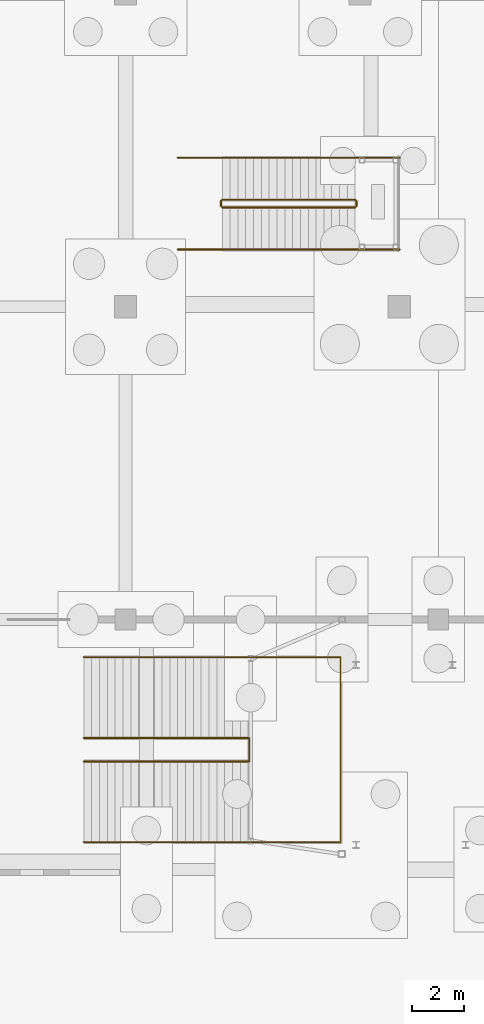
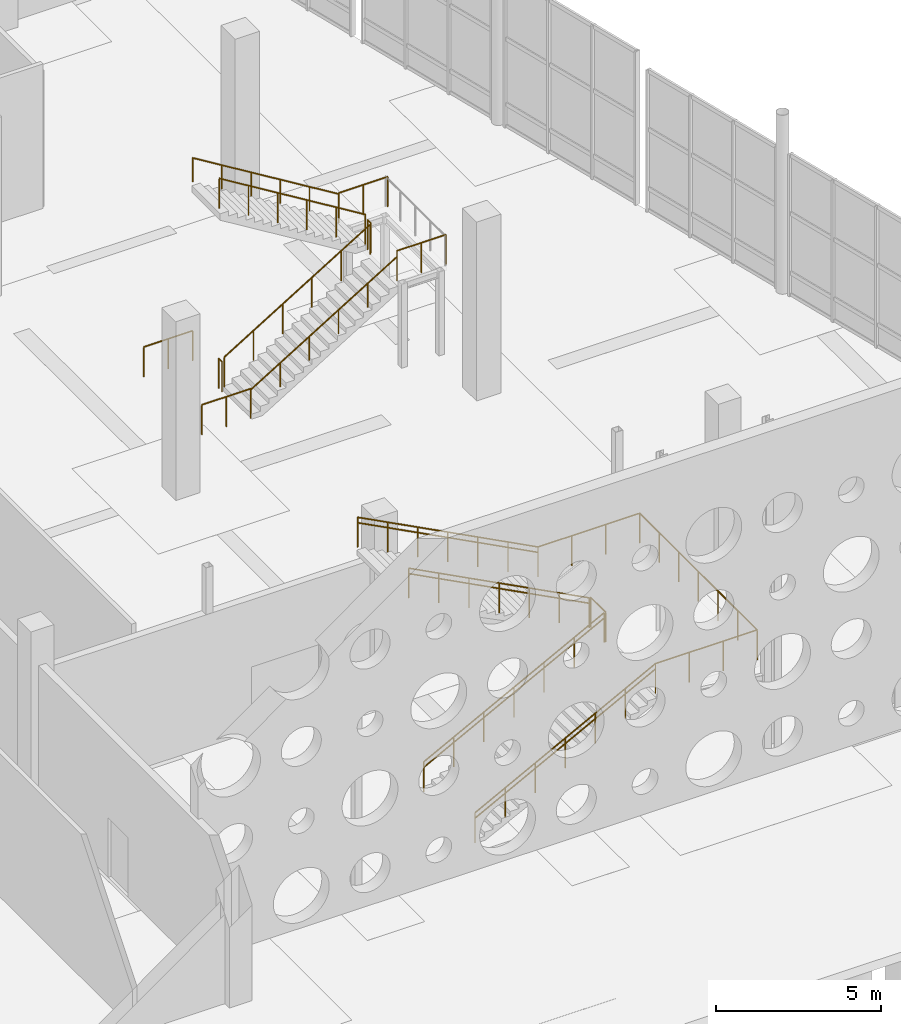
# One storey, part 109 of 117: 20 railings.
"""IFC4 building model written with IfcOpenShell, lengths in metres."""

from ifc_helpers import new_model, si_unit, direction, frame, origin, origin_2d, place, context, subcontext, project, spatial, circle, extrude, material, type_object, element, save


model = new_model("IFC4")

# Units and contexts
model_context = context("Model", 3, precision=1e-05, world=origin(), true_north=direction((0.0, 1.0)))
body_context = subcontext(model_context, "Body", "Model", "MODEL_VIEW")
ifc_project = project(units=[si_unit("LENGTHUNIT", "METRE"), si_unit("AREAUNIT", "SQUARE_METRE"), si_unit("VOLUMEUNIT", "CUBIC_METRE"), si_unit("PLANEANGLEUNIT", "RADIAN"), si_unit("MASSUNIT", "GRAM", prefix="KILO")], contexts=[model_context])

# Site, building, storey
site_placement = place(None, origin())
site = spatial("IfcSite", under=ifc_project, at=site_placement, CompositionType="ELEMENT")
building_placement = place(site_placement, origin())
building = spatial("IfcBuilding", under=site, at=building_placement, Name="Kamomehara Wholesale Market", CompositionType="ELEMENT")
storey_placement = place(building_placement, origin())
storey = spatial("IfcBuildingStorey", under=building, at=storey_placement, Name="L00", CompositionType="ELEMENT", Elevation=0.0)

# Railings
ifc_material_1 = material(Name="Steel SN400B", Category="steel")
railing_type_1 = type_object("IfcRailingType", Name="RAL-EXT-1100", PredefinedType="BALUSTRADE", material=ifc_material_1)
for number, where, name in (
    (1, (178.39990234375, 15.449951171875, 0.0), "ST-19 flight guard 1.1"),
    (2, (178.39990234375, 18.550048828125, 0.0), "ST-19 flight guard 1.2"),
):
    element("IfcRailing", number, at=place(storey_placement, frame(where)), inside=storey, type_object=railing_type_1, Name=name, PredefinedType="BALUSTRADE", context=body_context, shape_type="SweptSolid", body=[
        extrude(circle(Radius=0.02392578125, at=origin_2d()), frame((0.0, 0.0, 1.09619140625), z_axis=(0.885830191482, 0.0, 0.464009560095), x_axis=(0.0, 1.0, 0.0)), (0.0, 0.0, 1.0), 7.112060546875),
        extrude(circle(Radius=0.02099609375, at=origin_2d()), origin(), (0.0, 0.0, 1.0), 1.072021484375),
        extrude(circle(Radius=0.02099609375, at=origin_2d()), frame((1.050048828125, 0.0, 0.550048828125)), (0.0, 0.0, 1.0), 1.072021484375),
        extrude(circle(Radius=0.02099609375, at=origin_2d()), frame((2.10009765625, 0.0, 1.10009765625)), (0.0, 0.0, 1.0), 1.072021484375),
        extrude(circle(Radius=0.02099609375, at=origin_2d()), frame((3.14990234375, 0.0, 1.64990234375)), (0.0, 0.0, 1.0), 1.072021484375),
        extrude(circle(Radius=0.02099609375, at=origin_2d()), frame((4.199951171875, 0.0, 2.199951171875)), (0.0, 0.0, 1.0), 1.072021484375),
        extrude(circle(Radius=0.02099609375, at=origin_2d()), frame((5.25, 0.0, 2.75)), (0.0, 0.0, 1.0), 1.072021484375),
        extrude(circle(Radius=0.02099609375, at=origin_2d()), frame((6.300048828125, 0.0, 3.300048828125)), (0.0, 0.0, 1.0), 1.072021484375),
    ])
for number, where, name in (
    (3, (184.699951171875, 22.550048828125, 3.300048828125), "ST-19 flight guard 2.1"),
    (4, (184.699951171875, 19.449951171875, 3.300048828125), "ST-19 flight guard 2.2"),
):
    element("IfcRailing", number, at=place(storey_placement, frame(where)), inside=storey, type_object=railing_type_1, Name=name, PredefinedType="BALUSTRADE", context=body_context, shape_type="SweptSolid", body=[
        extrude(circle(Radius=0.02392578125, at=origin_2d()), frame((0.0, 0.0, 1.09619140625), z_axis=(-0.885830191482, 0.0, 0.464009560095), x_axis=(0.0, -1.0, 0.0)), (0.0, 0.0, 1.0), 7.112060546875),
        extrude(circle(Radius=0.02099609375, at=origin_2d()), origin(), (0.0, 0.0, 1.0), 1.072021484375),
        extrude(circle(Radius=0.02099609375, at=origin_2d()), frame((-1.050048828125, 0.0, 0.550048828125)), (0.0, 0.0, 1.0), 1.072021484375),
        extrude(circle(Radius=0.02099609375, at=origin_2d()), frame((-2.10009765625, 0.0, 1.10009765625)), (0.0, 0.0, 1.0), 1.072021484375),
        extrude(circle(Radius=0.02099609375, at=origin_2d()), frame((-3.14990234375, 0.0, 1.64990234375)), (0.0, 0.0, 1.0), 1.072021484375),
        extrude(circle(Radius=0.02099609375, at=origin_2d()), frame((-4.199951171875, 0.0, 2.199951171875)), (0.0, 0.0, 1.0), 1.072021484375),
        extrude(circle(Radius=0.02099609375, at=origin_2d()), frame((-5.25, 0.0, 2.75)), (0.0, 0.0, 1.0), 1.072021484375),
        extrude(circle(Radius=0.02099609375, at=origin_2d()), frame((-6.300048828125, 0.0, 3.300048828125)), (0.0, 0.0, 1.0), 1.072021484375),
    ])
railing_1_placement = place(storey_placement, frame((184.699951171875, 15.449951171875, 3.300048828125)))
element("IfcRailing", 5, at=railing_1_placement, inside=storey, type_object=railing_type_1, Name="ST-19 landing guard 1", PredefinedType="BALUSTRADE", context=body_context, shape_type="SweptSolid", body=[
    extrude(circle(Radius=0.02392578125, at=origin_2d()), frame((0.0, 0.0, 1.09619140625), z_axis=(1.0, 0.0, 0.0), x_axis=(0.0, 1.0, 0.0)), (0.0, 0.0, 1.0), 3.550048828125),
    extrude(circle(Radius=0.02392578125, at=origin_2d()), frame((3.550048828125, 0.0, 1.09619140625), z_axis=(0.0, 1.0, 0.0), x_axis=(-1.0, 0.0, 0.0)), (0.0, 0.0, 1.0), 7.10009765625),
    extrude(circle(Radius=0.02392578125, at=origin_2d()), frame((3.550048828125, 7.10009765625, 1.09619140625), z_axis=(-1.0, 0.0, 0.0), x_axis=(0.0, -1.0, 0.0)), (0.0, 0.0, 1.0), 3.550048828125),
    extrude(circle(Radius=0.02099609375, at=origin_2d()), origin(), (0.0, 0.0, 1.0), 1.072021484375),
    extrude(circle(Radius=0.02099609375, at=origin_2d()), frame((1.183349609375, 0.0, 0.0)), (0.0, 0.0, 1.0), 1.072021484375),
    extrude(circle(Radius=0.02099609375, at=origin_2d()), frame((2.36669921875, 0.0, 0.0)), (0.0, 0.0, 1.0), 1.072021484375),
    extrude(circle(Radius=0.02099609375, at=origin_2d()), frame((3.550048828125, 0.0, 0.0)), (0.0, 0.0, 1.0), 1.072021484375),
    extrude(circle(Radius=0.02099609375, at=origin_2d()), frame((3.550048828125, 1.183349609375, 0.0)), (0.0, 0.0, 1.0), 1.072021484375),
    extrude(circle(Radius=0.02099609375, at=origin_2d()), frame((3.550048828125, 2.36669921875, 0.0)), (0.0, 0.0, 1.0), 1.072021484375),
    extrude(circle(Radius=0.02099609375, at=origin_2d()), frame((3.550048828125, 3.550048828125, 0.0)), (0.0, 0.0, 1.0), 1.072021484375),
    extrude(circle(Radius=0.02099609375, at=origin_2d()), frame((3.550048828125, 4.7333984375, 0.0)), (0.0, 0.0, 1.0), 1.072021484375),
    extrude(circle(Radius=0.02099609375, at=origin_2d()), frame((3.550048828125, 5.916748046875, 0.0)), (0.0, 0.0, 1.0), 1.072021484375),
    extrude(circle(Radius=0.02099609375, at=origin_2d()), frame((3.550048828125, 7.10009765625, 0.0)), (0.0, 0.0, 1.0), 1.072021484375),
    extrude(circle(Radius=0.02099609375, at=origin_2d()), frame((2.36669921875, 7.10009765625, 0.0)), (0.0, 0.0, 1.0), 1.072021484375),
    extrude(circle(Radius=0.02099609375, at=origin_2d()), frame((1.183349609375, 7.10009765625, 0.0)), (0.0, 0.0, 1.0), 1.072021484375),
    extrude(circle(Radius=0.02099609375, at=origin_2d()), frame((0.0, 7.10009765625, 0.0)), (0.0, 0.0, 1.0), 1.072021484375),
])
railing_2_placement = place(storey_placement, frame((184.75, 18.550048828125, 3.300048828125)))
element("IfcRailing", 6, at=railing_2_placement, inside=storey, type_object=railing_type_1, Name="ST-19 landing well guard 1", PredefinedType="BALUSTRADE", context=body_context, shape_type="SweptSolid", body=[
    extrude(circle(Radius=0.02392578125, at=origin_2d()), frame((0.0, 0.0, 1.09619140625), z_axis=(0.0, 1.0, 0.0), x_axis=(-1.0, 0.0, 0.0)), (0.0, 0.0, 1.0), 0.89990234375),
    extrude(circle(Radius=0.02099609375, at=origin_2d()), origin(), (0.0, 0.0, 1.0), 1.072021484375),
    extrude(circle(Radius=0.02099609375, at=origin_2d()), frame((0.0, 0.89990234375, 0.0)), (0.0, 0.0, 1.0), 1.072021484375),
])
ifc_material_2 = material(Name="Steel SN400B", Category="steel")
railing_type_2 = type_object("IfcRailingType", Name="RAL-HND-900", PredefinedType="HANDRAIL", material=ifc_material_2)
railing_3_placement = place(storey_placement, frame((183.7099609375, 38.199951171875, 0.183349609375)))
element("IfcRailing", 7, at=railing_3_placement, inside=storey, type_object=railing_type_2, Name="L00 ST-18 stair handrail 1", PredefinedType="HANDRAIL", context=body_context, shape_type="SweptSolid", body=[
    extrude(circle(Radius=0.02392578125, at=origin_2d()), frame((0.0, 0.0, 0.8759765625), z_axis=(0.853283853024, 0.0, 0.521446705012), x_axis=(0.0, 1.0, 0.0)), (0.0, 0.0, 1.0), 5.97705078125),
    extrude(circle(Radius=0.02099609375, at=origin_2d()), origin(), (0.0, 0.0, 1.0), 0.851806640625),
    extrude(circle(Radius=0.02099609375, at=origin_2d()), frame((1.02001953125, 0.0, 0.623291015625)), (0.0, 0.0, 1.0), 0.851806640625),
    extrude(circle(Radius=0.02099609375, at=origin_2d()), frame((2.0400390625, 0.0, 1.24658203125)), (0.0, 0.0, 1.0), 0.851806640625),
    extrude(circle(Radius=0.02099609375, at=origin_2d()), frame((3.06005859375, 0.0, 1.8701171875)), (0.0, 0.0, 1.0), 0.851806640625),
    extrude(circle(Radius=0.02099609375, at=origin_2d()), frame((4.080078125, 0.0, 2.493408203125)), (0.0, 0.0, 1.0), 0.851806640625),
    extrude(circle(Radius=0.02099609375, at=origin_2d()), frame((5.10009765625, 0.0, 3.11669921875)), (0.0, 0.0, 1.0), 0.851806640625),
])
railing_4_placement = place(storey_placement, frame((188.81005859375, 41.719970703125, 3.4833984375)))
element("IfcRailing", 8, at=railing_4_placement, inside=storey, type_object=railing_type_2, Name="L00 ST-18 stair handrail 2", PredefinedType="HANDRAIL", context=body_context, shape_type="SweptSolid", body=[
    extrude(circle(Radius=0.02392578125, at=origin_2d()), frame((0.0, 0.0, 0.8759765625), z_axis=(-0.853283853024, 0.0, 0.521446705012), x_axis=(0.0, -1.0, 0.0)), (0.0, 0.0, 1.0), 5.97705078125),
    extrude(circle(Radius=0.02099609375, at=origin_2d()), origin(), (0.0, 0.0, 1.0), 0.851806640625),
    extrude(circle(Radius=0.02099609375, at=origin_2d()), frame((-1.02001953125, 0.0, 0.623291015625)), (0.0, 0.0, 1.0), 0.851806640625),
    extrude(circle(Radius=0.02099609375, at=origin_2d()), frame((-2.0400390625, 0.0, 1.24658203125)), (0.0, 0.0, 1.0), 0.851806640625),
    extrude(circle(Radius=0.02099609375, at=origin_2d()), frame((-3.06005859375, 0.0, 1.8701171875)), (0.0, 0.0, 1.0), 0.851806640625),
    extrude(circle(Radius=0.02099609375, at=origin_2d()), frame((-4.080078125, 0.0, 2.493408203125)), (0.0, 0.0, 1.0), 0.851806640625),
    extrude(circle(Radius=0.02099609375, at=origin_2d()), frame((-5.10009765625, 0.0, 3.11669921875)), (0.0, 0.0, 1.0), 0.851806640625),
])
ifc_material_3 = material(Name="Steel SN400B", Category="steel")
railing_type_3 = type_object("IfcRailingType", Name="RAL-HND-EXT-900", PredefinedType="HANDRAIL", material=ifc_material_3)
for number, where, name in (
    (9, (178.39990234375, 15.449951171875, 0.0), "ST-19 handrail 1.1"),
    (10, (178.39990234375, 18.550048828125, 0.0), "ST-19 handrail 1.2"),
):
    element("IfcRailing", number, at=place(storey_placement, frame(where)), inside=storey, type_object=railing_type_3, Name=name, PredefinedType="HANDRAIL", context=body_context, shape_type="SweptSolid", body=[
        extrude(circle(Radius=0.02392578125, at=origin_2d()), frame((0.0, 0.0, 0.89599609375), z_axis=(0.885830191482, 0.0, 0.464009560095), x_axis=(0.0, 1.0, 0.0)), (0.0, 0.0, 1.0), 7.112060546875),
        extrude(circle(Radius=0.02099609375, at=origin_2d()), origin(), (0.0, 0.0, 1.0), 0.871826171875),
        extrude(circle(Radius=0.02099609375, at=origin_2d()), frame((1.050048828125, 0.0, 0.550048828125)), (0.0, 0.0, 1.0), 0.871826171875),
        extrude(circle(Radius=0.02099609375, at=origin_2d()), frame((2.10009765625, 0.0, 1.10009765625)), (0.0, 0.0, 1.0), 0.871826171875),
        extrude(circle(Radius=0.02099609375, at=origin_2d()), frame((3.14990234375, 0.0, 1.64990234375)), (0.0, 0.0, 1.0), 0.871826171875),
        extrude(circle(Radius=0.02099609375, at=origin_2d()), frame((4.199951171875, 0.0, 2.199951171875)), (0.0, 0.0, 1.0), 0.871826171875),
        extrude(circle(Radius=0.02099609375, at=origin_2d()), frame((5.25, 0.0, 2.75)), (0.0, 0.0, 1.0), 0.871826171875),
        extrude(circle(Radius=0.02099609375, at=origin_2d()), frame((6.300048828125, 0.0, 3.300048828125)), (0.0, 0.0, 1.0), 0.871826171875),
    ])
for number, where, name in (
    (11, (184.699951171875, 22.550048828125, 3.300048828125), "ST-19 handrail 2.1"),
    (12, (184.699951171875, 19.449951171875, 3.300048828125), "ST-19 handrail 2.2"),
):
    element("IfcRailing", number, at=place(storey_placement, frame(where)), inside=storey, type_object=railing_type_3, Name=name, PredefinedType="HANDRAIL", context=body_context, shape_type="SweptSolid", body=[
        extrude(circle(Radius=0.02392578125, at=origin_2d()), frame((0.0, 0.0, 0.89599609375), z_axis=(-0.885830191482, 0.0, 0.464009560095), x_axis=(0.0, -1.0, 0.0)), (0.0, 0.0, 1.0), 7.112060546875),
        extrude(circle(Radius=0.02099609375, at=origin_2d()), origin(), (0.0, 0.0, 1.0), 0.871826171875),
        extrude(circle(Radius=0.02099609375, at=origin_2d()), frame((-1.050048828125, 0.0, 0.550048828125)), (0.0, 0.0, 1.0), 0.871826171875),
        extrude(circle(Radius=0.02099609375, at=origin_2d()), frame((-2.10009765625, 0.0, 1.10009765625)), (0.0, 0.0, 1.0), 0.871826171875),
        extrude(circle(Radius=0.02099609375, at=origin_2d()), frame((-3.14990234375, 0.0, 1.64990234375)), (0.0, 0.0, 1.0), 0.871826171875),
        extrude(circle(Radius=0.02099609375, at=origin_2d()), frame((-4.199951171875, 0.0, 2.199951171875)), (0.0, 0.0, 1.0), 0.871826171875),
        extrude(circle(Radius=0.02099609375, at=origin_2d()), frame((-5.25, 0.0, 2.75)), (0.0, 0.0, 1.0), 0.871826171875),
        extrude(circle(Radius=0.02099609375, at=origin_2d()), frame((-6.300048828125, 0.0, 3.300048828125)), (0.0, 0.0, 1.0), 0.871826171875),
    ])
ifc_material_4 = material(Name="Steel SN400B", Category="steel")
railing_type_4 = type_object("IfcRailingType", Name="RAL-INT-1100", PredefinedType="BALUSTRADE", material=ifc_material_4)
railing_5_placement = place(storey_placement, frame((183.7099609375, 39.81005859375, 0.183349609375)))
element("IfcRailing", 13, at=railing_5_placement, inside=storey, type_object=railing_type_4, Name="L00 ST-18 stair guard 1", PredefinedType="BALUSTRADE", context=body_context, shape_type="SweptSolid", body=[
    extrude(circle(Radius=0.02392578125, at=origin_2d()), frame((0.0, 0.0, 1.09619140625), z_axis=(0.853283853024, 0.0, 0.521446705012), x_axis=(0.0, 1.0, 0.0)), (0.0, 0.0, 1.0), 5.97705078125),
    extrude(circle(Radius=0.02099609375, at=origin_2d()), origin(), (0.0, 0.0, 1.0), 1.072021484375),
    extrude(circle(Radius=0.02099609375, at=origin_2d()), frame((1.02001953125, 0.0, 0.623291015625)), (0.0, 0.0, 1.0), 1.072021484375),
    extrude(circle(Radius=0.02099609375, at=origin_2d()), frame((2.0400390625, 0.0, 1.24658203125)), (0.0, 0.0, 1.0), 1.072021484375),
    extrude(circle(Radius=0.02099609375, at=origin_2d()), frame((3.06005859375, 0.0, 1.8701171875)), (0.0, 0.0, 1.0), 1.072021484375),
    extrude(circle(Radius=0.02099609375, at=origin_2d()), frame((4.080078125, 0.0, 2.493408203125)), (0.0, 0.0, 1.0), 1.072021484375),
    extrude(circle(Radius=0.02099609375, at=origin_2d()), frame((5.10009765625, 0.0, 3.11669921875)), (0.0, 0.0, 1.0), 1.072021484375),
])
railing_6_placement = place(storey_placement, frame((188.860107421875, 39.860107421875, 3.300048828125)))
element("IfcRailing", 14, at=railing_6_placement, inside=storey, type_object=railing_type_4, Name="L00 ST-18 stair guard 2", PredefinedType="BALUSTRADE", context=body_context, shape_type="SweptSolid", body=[
    extrude(circle(Radius=0.02392578125, at=origin_2d()), frame((0.0, 0.0, 1.09619140625), z_axis=(0.0, 1.0, 0.0), x_axis=(-1.0, 0.0, 0.0)), (0.0, 0.0, 1.0), 0.199951171875),
    extrude(circle(Radius=0.02099609375, at=origin_2d()), origin(), (0.0, 0.0, 1.0), 1.072021484375),
    extrude(circle(Radius=0.02099609375, at=origin_2d()), frame((0.0, 0.199951171875, 0.0)), (0.0, 0.0, 1.0), 1.072021484375),
])
for number, where, name in (
    (15, (188.81005859375, 38.199951171875, 3.300048828125), "L00 ST-18 stair guard 3"),
    (16, (188.81005859375, 41.719970703125, 3.300048828125), "L00 ST-18 stair guard 4"),
):
    element("IfcRailing", number, at=place(storey_placement, frame(where)), inside=storey, type_object=railing_type_4, Name=name, PredefinedType="BALUSTRADE", context=body_context, shape_type="SweptSolid", body=[
        extrude(circle(Radius=0.02392578125, at=origin_2d()), frame((0.0, 0.0, 1.09619140625), z_axis=(1.0, 0.0, 0.0), x_axis=(0.0, 1.0, 0.0)), (0.0, 0.0, 1.0), 1.7099609375),
        extrude(circle(Radius=0.02099609375, at=origin_2d()), origin(), (0.0, 0.0, 1.0), 1.072021484375),
        extrude(circle(Radius=0.02099609375, at=origin_2d()), frame((0.85498046875, 0.0, 0.0)), (0.0, 0.0, 1.0), 1.072021484375),
        extrude(circle(Radius=0.02099609375, at=origin_2d()), frame((1.7099609375, 0.0, 0.0)), (0.0, 0.0, 1.0), 1.072021484375),
    ])
railing_7_placement = place(storey_placement, frame((188.81005859375, 40.110107421875, 3.4833984375)))
element("IfcRailing", 17, at=railing_7_placement, inside=storey, type_object=railing_type_4, Name="L00 ST-18 stair guard 6", PredefinedType="BALUSTRADE", context=body_context, shape_type="SweptSolid", body=[
    extrude(circle(Radius=0.02392578125, at=origin_2d()), frame((0.0, 0.0, 1.09619140625), z_axis=(-0.853283853024, 0.0, 0.521446705012), x_axis=(0.0, -1.0, 0.0)), (0.0, 0.0, 1.0), 5.97705078125),
    extrude(circle(Radius=0.02099609375, at=origin_2d()), origin(), (0.0, 0.0, 1.0), 1.072021484375),
    extrude(circle(Radius=0.02099609375, at=origin_2d()), frame((-1.02001953125, 0.0, 0.623291015625)), (0.0, 0.0, 1.0), 1.072021484375),
    extrude(circle(Radius=0.02099609375, at=origin_2d()), frame((-2.0400390625, 0.0, 1.24658203125)), (0.0, 0.0, 1.0), 1.072021484375),
    extrude(circle(Radius=0.02099609375, at=origin_2d()), frame((-3.06005859375, 0.0, 1.8701171875)), (0.0, 0.0, 1.0), 1.072021484375),
    extrude(circle(Radius=0.02099609375, at=origin_2d()), frame((-4.080078125, 0.0, 2.493408203125)), (0.0, 0.0, 1.0), 1.072021484375),
    extrude(circle(Radius=0.02099609375, at=origin_2d()), frame((-5.10009765625, 0.0, 3.11669921875)), (0.0, 0.0, 1.0), 1.072021484375),
])
railing_8_placement = place(storey_placement, frame((183.659912109375, 39.860107421875, 0.0)))
element("IfcRailing", 18, at=railing_8_placement, inside=storey, type_object=railing_type_4, Name="L00 ST-18 stair guard 7", PredefinedType="BALUSTRADE", context=body_context, shape_type="SweptSolid", body=[
    extrude(circle(Radius=0.02392578125, at=origin_2d()), frame((0.0, 0.0, 1.09619140625), z_axis=(0.0, 1.0, 0.0), x_axis=(-1.0, 0.0, 0.0)), (0.0, 0.0, 1.0), 0.199951171875),
    extrude(circle(Radius=0.02099609375, at=origin_2d()), origin(), (0.0, 0.0, 1.0), 1.072021484375),
    extrude(circle(Radius=0.02099609375, at=origin_2d()), frame((0.0, 0.199951171875, 0.0)), (0.0, 0.0, 1.0), 1.072021484375),
])
for number, where, name in (
    (19, (182.0, 38.199951171875, 0.0), "L00 ST-18 stair guard 8"),
    (20, (182.0, 41.719970703125, 0.0), "L00 ST-18 stair guard 9"),
):
    element("IfcRailing", number, at=place(storey_placement, frame(where)), inside=storey, type_object=railing_type_4, Name=name, PredefinedType="BALUSTRADE", context=body_context, shape_type="SweptSolid", body=[
        extrude(circle(Radius=0.02392578125, at=origin_2d()), frame((0.0, 0.0, 1.09619140625), z_axis=(1.0, 0.0, 0.0), x_axis=(0.0, 1.0, 0.0)), (0.0, 0.0, 1.0), 1.7099609375),
        extrude(circle(Radius=0.02099609375, at=origin_2d()), origin(), (0.0, 0.0, 1.0), 1.072021484375),
        extrude(circle(Radius=0.02099609375, at=origin_2d()), frame((0.85498046875, 0.0, 0.0)), (0.0, 0.0, 1.0), 1.072021484375),
        extrude(circle(Radius=0.02099609375, at=origin_2d()), frame((1.7099609375, 0.0, 0.0)), (0.0, 0.0, 1.0), 1.072021484375),
    ])

save(model, "model.ifc")
